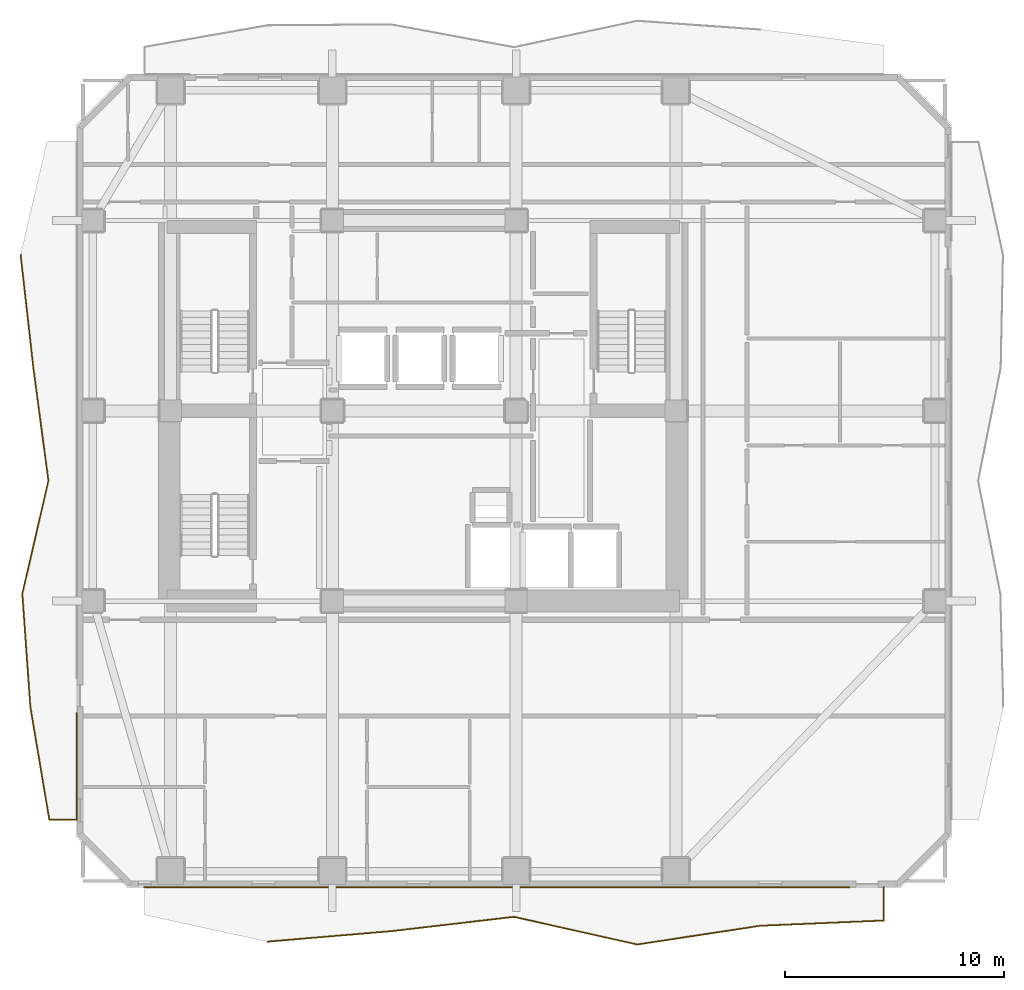
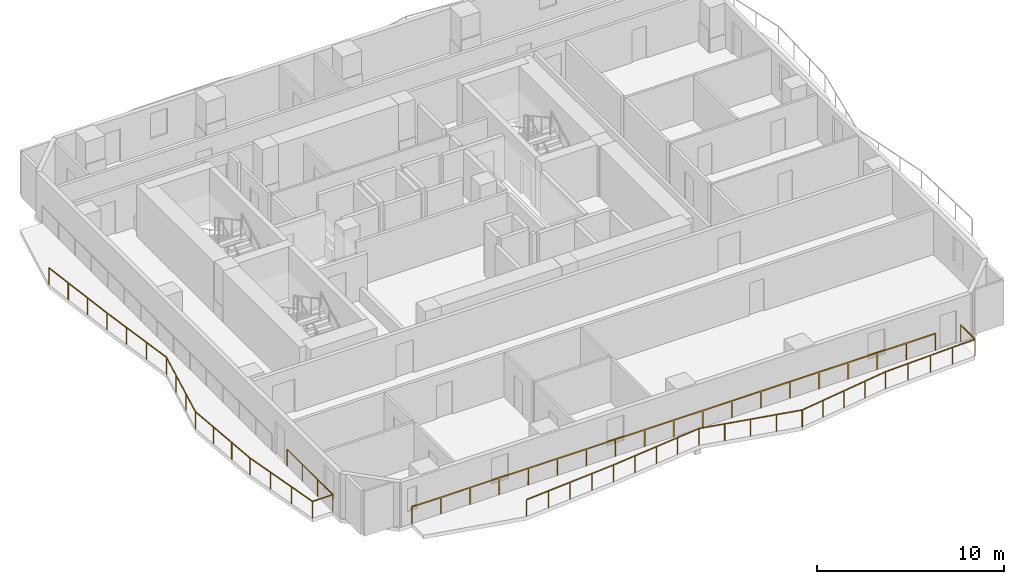
# One storey, part 7 of 9: 3 railings.
"""IFC4 building model written with IfcOpenShell, lengths in metres."""

from ifc_helpers import new_model, si_unit, direction, frame, origin, origin_2d, place, context, subcontext, project, spatial, rectangle, extrude, material, type_object, element, save


model = new_model("IFC4")

# Units and contexts
model_context = context("Model", 3, precision=1e-05, world=origin(), true_north=direction((0.0, 1.0)))
body_context = subcontext(model_context, "Body", "Model", "MODEL_VIEW")
ifc_project = project(units=[si_unit("LENGTHUNIT", "METRE"), si_unit("AREAUNIT", "SQUARE_METRE"), si_unit("VOLUMEUNIT", "CUBIC_METRE"), si_unit("PLANEANGLEUNIT", "RADIAN"), si_unit("MASSUNIT", "GRAM", prefix="KILO")], contexts=[model_context])

# Site, building, storey
site_placement = place(None, origin())
site = spatial("IfcSite", under=ifc_project, at=site_placement, CompositionType="ELEMENT")
building_placement = place(site_placement, origin())
building = spatial("IfcBuilding", under=site, at=building_placement, Name="Solanera Arch Residences", CompositionType="ELEMENT")
storey_placement = place(building_placement, frame((0.0, 0.0, 142.60009765625)))
storey = spatial("IfcBuildingStorey", under=building, at=storey_placement, Name="L41", CompositionType="ELEMENT", Elevation=142.60009765625)

# Railings
ifc_material = material(Name="Steel S355 (ASTM A992 / A572 Grade 50)", Category="steel")
railing_type = type_object("IfcRailingType", Name="Balustrade Railing BL-1100", PredefinedType="BALUSTRADE", material=ifc_material)
railing_1_placement = place(storey_placement, frame((17.8330078125, 6.426025390625, 0.0)))
element("IfcRailing", 1, at=railing_1_placement, inside=storey, type_object=railing_type, Name="L41 S Balcony Balustrade 1", PredefinedType="BALUSTRADE", context=body_context, shape_type="SweptSolid", body=[
    extrude(rectangle(XDim=0.048095703125, YDim=0.048095703125, at=origin_2d()), frame((0.0, 0.0, 1.09619140625), z_axis=(0.996419863825, 0.084542622237, 0.0), x_axis=(-0.084542622237, 0.996419863825, 0.0)), (0.0, 0.0, 1.0), 5.654296875),
    extrude(rectangle(XDim=0.048095703125, YDim=0.048095703125, at=origin_2d()), frame((5.634033203125, 0.47802734375, 1.09619140625), z_axis=(0.993287149617, 0.115674709445, 0.0), x_axis=(-0.115674709445, 0.993287149617, 0.0)), (0.0, 0.0, 1.0), 5.671142578125),
    extrude(rectangle(XDim=0.048095703125, YDim=0.048095703125, at=origin_2d()), frame((11.26708984375, 1.134033203125, 1.09619140625), z_axis=(0.975774323938, -0.218779497995, 0.0), x_axis=(0.218779497995, 0.975774323938, 0.0)), (0.0, 0.0, 1.0), 5.772705078125),
    extrude(rectangle(XDim=0.048095703125, YDim=0.048095703125, at=origin_2d()), frame((16.89990234375, -0.12890625, 1.09619140625), z_axis=(0.988655238542, 0.150202594199, 0.0), x_axis=(-0.150202594199, 0.988655238542, 0.0)), (0.0, 0.0, 1.0), 5.69873046875),
    extrude(rectangle(XDim=0.048095703125, YDim=0.048095703125, at=origin_2d()), frame((22.533935546875, 0.72705078125, 1.09619140625), z_axis=(0.999101038014, 0.042392403078, 0.0), x_axis=(-0.042392403078, 0.999101038014, 0.0)), (0.0, 0.0, 1.0), 5.63818359375),
    extrude(rectangle(XDim=0.048095703125, YDim=0.048095703125, at=origin_2d()), frame((28.1669921875, 0.966064453125, 1.09619140625), z_axis=(0.0, 1.0, 0.0), x_axis=(-1.0, 0.0, 0.0)), (0.0, 0.0, 1.0), 1.52783203125),
    extrude(rectangle(XDim=0.0419921875, YDim=0.0419921875, at=origin_2d()), origin(), (0.0, 0.0, 1.0), 1.072021484375),
    extrude(rectangle(XDim=0.0419921875, YDim=0.0419921875, at=origin_2d()), frame((1.408447265625, 0.11962890625, 0.0)), (0.0, 0.0, 1.0), 1.072021484375),
    extrude(rectangle(XDim=0.0419921875, YDim=0.0419921875, at=origin_2d()), frame((2.81689453125, 0.239013671875, 0.0)), (0.0, 0.0, 1.0), 1.072021484375),
    extrude(rectangle(XDim=0.0419921875, YDim=0.0419921875, at=origin_2d()), frame((4.2255859375, 0.3583984375, 0.0)), (0.0, 0.0, 1.0), 1.072021484375),
    extrude(rectangle(XDim=0.0419921875, YDim=0.0419921875, at=origin_2d()), frame((5.634033203125, 0.47802734375, 0.0)), (0.0, 0.0, 1.0), 1.072021484375),
    extrude(rectangle(XDim=0.0419921875, YDim=0.0419921875, at=origin_2d()), frame((7.042236328125, 0.64208984375, 0.0)), (0.0, 0.0, 1.0), 1.072021484375),
    extrude(rectangle(XDim=0.0419921875, YDim=0.0419921875, at=origin_2d()), frame((8.45068359375, 0.80615234375, 0.0)), (0.0, 0.0, 1.0), 1.072021484375),
    extrude(rectangle(XDim=0.0419921875, YDim=0.0419921875, at=origin_2d()), frame((9.85888671875, 0.969970703125, 0.0)), (0.0, 0.0, 1.0), 1.072021484375),
    extrude(rectangle(XDim=0.0419921875, YDim=0.0419921875, at=origin_2d()), frame((11.26708984375, 1.134033203125, 0.0)), (0.0, 0.0, 1.0), 1.072021484375),
    extrude(rectangle(XDim=0.0419921875, YDim=0.0419921875, at=origin_2d()), frame((12.67529296875, 0.818359375, 0.0)), (0.0, 0.0, 1.0), 1.072021484375),
    extrude(rectangle(XDim=0.0419921875, YDim=0.0419921875, at=origin_2d()), frame((14.08349609375, 0.50244140625, 0.0)), (0.0, 0.0, 1.0), 1.072021484375),
    extrude(rectangle(XDim=0.0419921875, YDim=0.0419921875, at=origin_2d()), frame((15.49169921875, 0.186767578125, 0.0)), (0.0, 0.0, 1.0), 1.072021484375),
    extrude(rectangle(XDim=0.0419921875, YDim=0.0419921875, at=origin_2d()), frame((16.89990234375, -0.12890625, 0.0)), (0.0, 0.0, 1.0), 1.072021484375),
    extrude(rectangle(XDim=0.0419921875, YDim=0.0419921875, at=origin_2d()), frame((18.308349609375, 0.0849609375, 0.0)), (0.0, 0.0, 1.0), 1.072021484375),
    extrude(rectangle(XDim=0.0419921875, YDim=0.0419921875, at=origin_2d()), frame((19.716796875, 0.299072265625, 0.0)), (0.0, 0.0, 1.0), 1.072021484375),
    extrude(rectangle(XDim=0.0419921875, YDim=0.0419921875, at=origin_2d()), frame((21.12548828125, 0.51318359375, 0.0)), (0.0, 0.0, 1.0), 1.072021484375),
    extrude(rectangle(XDim=0.0419921875, YDim=0.0419921875, at=origin_2d()), frame((22.533935546875, 0.72705078125, 0.0)), (0.0, 0.0, 1.0), 1.072021484375),
    extrude(rectangle(XDim=0.0419921875, YDim=0.0419921875, at=origin_2d()), frame((23.942138671875, 0.786865234375, 0.0)), (0.0, 0.0, 1.0), 1.072021484375),
    extrude(rectangle(XDim=0.0419921875, YDim=0.0419921875, at=origin_2d()), frame((25.3505859375, 0.8466796875, 0.0)), (0.0, 0.0, 1.0), 1.072021484375),
    extrude(rectangle(XDim=0.0419921875, YDim=0.0419921875, at=origin_2d()), frame((26.7587890625, 0.90625, 0.0)), (0.0, 0.0, 1.0), 1.072021484375),
    extrude(rectangle(XDim=0.0419921875, YDim=0.0419921875, at=origin_2d()), frame((28.1669921875, 0.966064453125, 0.0)), (0.0, 0.0, 1.0), 1.072021484375),
    extrude(rectangle(XDim=0.0419921875, YDim=0.0419921875, at=origin_2d()), frame((28.1669921875, 2.493896484375, 0.0)), (0.0, 0.0, 1.0), 1.072021484375),
])
railing_2_placement = place(storey_placement, frame((44.44091796875, 8.919921875, 0.0)))
element("IfcRailing", 2, at=railing_2_placement, inside=storey, type_object=railing_type, Name="L41 S Balcony Balustrade 2", PredefinedType="BALUSTRADE", context=body_context, shape_type="SweptSolid", body=[
    extrude(rectangle(XDim=0.048095703125, YDim=0.048095703125, at=origin_2d()), frame((0.0, 0.0, 1.09619140625), z_axis=(-1.0, 0.0, 0.0), x_axis=(0.0, -1.0, 0.0)), (0.0, 0.0, 1.0), 32.240966796875),
    extrude(rectangle(XDim=0.0419921875, YDim=0.0419921875, at=origin_2d()), origin(), (0.0, 0.0, 1.0), 1.072021484375),
    extrude(rectangle(XDim=0.0419921875, YDim=0.0419921875, at=origin_2d()), frame((-1.791259765625, 0.0, 0.0)), (0.0, 0.0, 1.0), 1.072021484375),
    extrude(rectangle(XDim=0.0419921875, YDim=0.0419921875, at=origin_2d()), frame((-3.582275390625, 0.0, 0.0)), (0.0, 0.0, 1.0), 1.072021484375),
    extrude(rectangle(XDim=0.0419921875, YDim=0.0419921875, at=origin_2d()), frame((-5.37353515625, 0.0, 0.0)), (0.0, 0.0, 1.0), 1.072021484375),
    extrude(rectangle(XDim=0.0419921875, YDim=0.0419921875, at=origin_2d()), frame((-7.16455078125, 0.0, 0.0)), (0.0, 0.0, 1.0), 1.072021484375),
    extrude(rectangle(XDim=0.0419921875, YDim=0.0419921875, at=origin_2d()), frame((-8.955810546875, 0.0, 0.0)), (0.0, 0.0, 1.0), 1.072021484375),
    extrude(rectangle(XDim=0.0419921875, YDim=0.0419921875, at=origin_2d()), frame((-10.7470703125, 0.0, 0.0)), (0.0, 0.0, 1.0), 1.072021484375),
    extrude(rectangle(XDim=0.0419921875, YDim=0.0419921875, at=origin_2d()), frame((-12.5380859375, 0.0, 0.0)), (0.0, 0.0, 1.0), 1.072021484375),
    extrude(rectangle(XDim=0.0419921875, YDim=0.0419921875, at=origin_2d()), frame((-14.329345703125, 0.0, 0.0)), (0.0, 0.0, 1.0), 1.072021484375),
    extrude(rectangle(XDim=0.0419921875, YDim=0.0419921875, at=origin_2d()), frame((-16.12060546875, 0.0, 0.0)), (0.0, 0.0, 1.0), 1.072021484375),
    extrude(rectangle(XDim=0.0419921875, YDim=0.0419921875, at=origin_2d()), frame((-17.91162109375, 0.0, 0.0)), (0.0, 0.0, 1.0), 1.072021484375),
    extrude(rectangle(XDim=0.0419921875, YDim=0.0419921875, at=origin_2d()), frame((-19.702880859375, 0.0, 0.0)), (0.0, 0.0, 1.0), 1.072021484375),
    extrude(rectangle(XDim=0.0419921875, YDim=0.0419921875, at=origin_2d()), frame((-21.493896484375, 0.0, 0.0)), (0.0, 0.0, 1.0), 1.072021484375),
    extrude(rectangle(XDim=0.0419921875, YDim=0.0419921875, at=origin_2d()), frame((-23.28515625, 0.0, 0.0)), (0.0, 0.0, 1.0), 1.072021484375),
    extrude(rectangle(XDim=0.0419921875, YDim=0.0419921875, at=origin_2d()), frame((-25.076416015625, 0.0, 0.0)), (0.0, 0.0, 1.0), 1.072021484375),
    extrude(rectangle(XDim=0.0419921875, YDim=0.0419921875, at=origin_2d()), frame((-26.867431640625, 0.0, 0.0)), (0.0, 0.0, 1.0), 1.072021484375),
    extrude(rectangle(XDim=0.0419921875, YDim=0.0419921875, at=origin_2d()), frame((-28.65869140625, 0.0, 0.0)), (0.0, 0.0, 1.0), 1.072021484375),
    extrude(rectangle(XDim=0.0419921875, YDim=0.0419921875, at=origin_2d()), frame((-30.44970703125, 0.0, 0.0)), (0.0, 0.0, 1.0), 1.072021484375),
    extrude(rectangle(XDim=0.0419921875, YDim=0.0419921875, at=origin_2d()), frame((-32.240966796875, 0.0, 0.0)), (0.0, 0.0, 1.0), 1.072021484375),
])
railing_3_placement = place(storey_placement, frame((6.541015625, 37.8330078125, 0.0)))
element("IfcRailing", 3, at=railing_3_placement, inside=storey, type_object=railing_type, Name="L41 W Balcony Balustrade 1", PredefinedType="BALUSTRADE", context=body_context, shape_type="SweptSolid", body=[
    extrude(rectangle(XDim=0.048095703125, YDim=0.048095703125, at=origin_2d()), frame((0.0, 0.0, 1.09619140625), z_axis=(0.111957083836, -0.993713042774, 0.0), x_axis=(0.993713042774, 0.111957083836, 0.0)), (0.0, 0.0, 1.0), 5.19873046875),
    extrude(rectangle(XDim=0.048095703125, YDim=0.048095703125, at=origin_2d()), frame((0.58203125, -5.166015625, 1.09619140625), z_axis=(0.132169855747, -0.991227082576, 0.0), x_axis=(0.991227082576, 0.132169855747, 0.0)), (0.0, 0.0, 1.0), 5.212646484375),
    extrude(rectangle(XDim=0.048095703125, YDim=0.048095703125, at=origin_2d()), frame((1.27099609375, -10.3330078125, 1.09619140625), z_axis=(-0.224772079657, -0.974411367035, 0.0), x_axis=(0.974411367035, -0.224772079657, 0.0)), (0.0, 0.0, 1.0), 5.302734375),
    extrude(rectangle(XDim=0.048095703125, YDim=0.048095703125, at=origin_2d()), frame((0.0791015625, -15.5, 1.09619140625), z_axis=(0.070476493077, -0.997513440473, 0.0), x_axis=(0.997513440473, 0.070476493077, 0.0)), (0.0, 0.0, 1.0), 5.178955078125),
    extrude(rectangle(XDim=0.048095703125, YDim=0.048095703125, at=origin_2d()), frame((0.444091796875, -20.666015625, 1.09619140625), z_axis=(0.16583446769, -0.986153603312, 0.0), x_axis=(0.986153603312, 0.16583446769, 0.0)), (0.0, 0.0, 1.0), 5.239501953125),
    extrude(rectangle(XDim=0.048095703125, YDim=0.048095703125, at=origin_2d()), frame((1.31298828125, -25.8330078125, 1.09619140625), z_axis=(1.0, 0.0, 0.0), x_axis=(0.0, 1.0, 0.0)), (0.0, 0.0, 1.0), 1.26611328125),
    extrude(rectangle(XDim=0.048095703125, YDim=0.048095703125, at=origin_2d()), frame((2.5791015625, -25.8330078125, 1.09619140625), z_axis=(0.0, 1.0, 0.0), x_axis=(-1.0, 0.0, 0.0)), (0.0, 0.0, 1.0), 4.873046875),
    extrude(rectangle(XDim=0.0419921875, YDim=0.0419921875, at=origin_2d()), origin(), (0.0, 0.0, 1.0), 1.072021484375),
    extrude(rectangle(XDim=0.0419921875, YDim=0.0419921875, at=origin_2d()), frame((0.194091796875, -1.721923828125, 0.0)), (0.0, 0.0, 1.0), 1.072021484375),
    extrude(rectangle(XDim=0.0419921875, YDim=0.0419921875, at=origin_2d()), frame((0.387939453125, -3.444091796875, 0.0)), (0.0, 0.0, 1.0), 1.072021484375),
    extrude(rectangle(XDim=0.0419921875, YDim=0.0419921875, at=origin_2d()), frame((0.58203125, -5.166015625, 0.0)), (0.0, 0.0, 1.0), 1.072021484375),
    extrude(rectangle(XDim=0.0419921875, YDim=0.0419921875, at=origin_2d()), frame((0.811767578125, -6.888427734375, 0.0)), (0.0, 0.0, 1.0), 1.072021484375),
    extrude(rectangle(XDim=0.0419921875, YDim=0.0419921875, at=origin_2d()), frame((1.041259765625, -8.610595703125, 0.0)), (0.0, 0.0, 1.0), 1.072021484375),
    extrude(rectangle(XDim=0.0419921875, YDim=0.0419921875, at=origin_2d()), frame((1.27099609375, -10.3330078125, 0.0)), (0.0, 0.0, 1.0), 1.072021484375),
    extrude(rectangle(XDim=0.0419921875, YDim=0.0419921875, at=origin_2d()), frame((0.873779296875, -12.055419921875, 0.0)), (0.0, 0.0, 1.0), 1.072021484375),
    extrude(rectangle(XDim=0.0419921875, YDim=0.0419921875, at=origin_2d()), frame((0.476318359375, -13.777587890625, 0.0)), (0.0, 0.0, 1.0), 1.072021484375),
    extrude(rectangle(XDim=0.0419921875, YDim=0.0419921875, at=origin_2d()), frame((0.0791015625, -15.5, 0.0)), (0.0, 0.0, 1.0), 1.072021484375),
    extrude(rectangle(XDim=0.0419921875, YDim=0.0419921875, at=origin_2d()), frame((0.20068359375, -17.221923828125, 0.0)), (0.0, 0.0, 1.0), 1.072021484375),
    extrude(rectangle(XDim=0.0419921875, YDim=0.0419921875, at=origin_2d()), frame((0.322509765625, -18.944091796875, 0.0)), (0.0, 0.0, 1.0), 1.072021484375),
    extrude(rectangle(XDim=0.0419921875, YDim=0.0419921875, at=origin_2d()), frame((0.444091796875, -20.666015625, 0.0)), (0.0, 0.0, 1.0), 1.072021484375),
    extrude(rectangle(XDim=0.0419921875, YDim=0.0419921875, at=origin_2d()), frame((0.733642578125, -22.388427734375, 0.0)), (0.0, 0.0, 1.0), 1.072021484375),
    extrude(rectangle(XDim=0.0419921875, YDim=0.0419921875, at=origin_2d()), frame((1.0234375, -24.110595703125, 0.0)), (0.0, 0.0, 1.0), 1.072021484375),
    extrude(rectangle(XDim=0.0419921875, YDim=0.0419921875, at=origin_2d()), frame((1.31298828125, -25.8330078125, 0.0)), (0.0, 0.0, 1.0), 1.072021484375),
    extrude(rectangle(XDim=0.0419921875, YDim=0.0419921875, at=origin_2d()), frame((2.5791015625, -25.8330078125, 0.0)), (0.0, 0.0, 1.0), 1.072021484375),
    extrude(rectangle(XDim=0.0419921875, YDim=0.0419921875, at=origin_2d()), frame((2.5791015625, -24.208740234375, 0.0)), (0.0, 0.0, 1.0), 1.072021484375),
    extrude(rectangle(XDim=0.0419921875, YDim=0.0419921875, at=origin_2d()), frame((2.5791015625, -22.584228515625, 0.0)), (0.0, 0.0, 1.0), 1.072021484375),
    extrude(rectangle(XDim=0.0419921875, YDim=0.0419921875, at=origin_2d()), frame((2.5791015625, -20.9599609375, 0.0)), (0.0, 0.0, 1.0), 1.072021484375),
])

save(model, "model.ifc")
